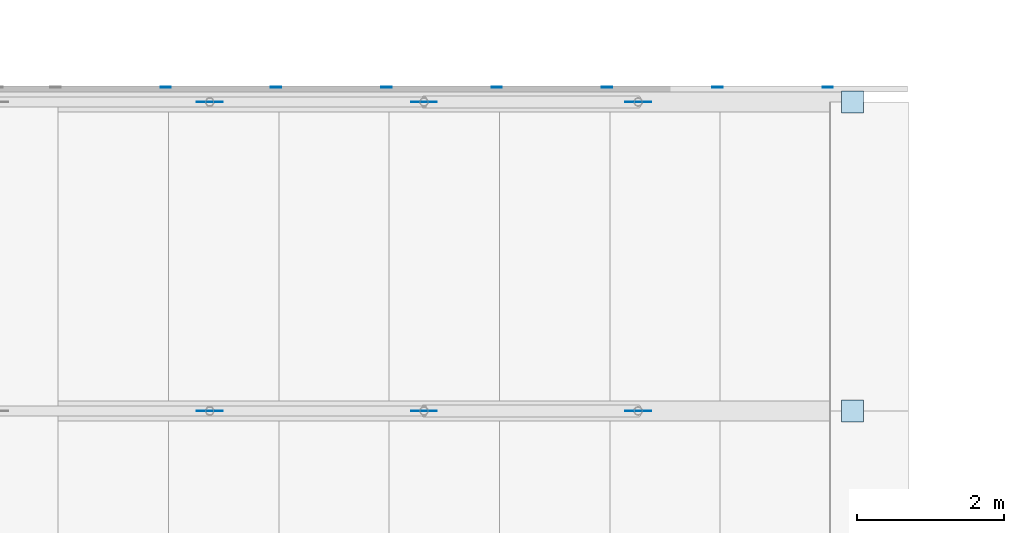
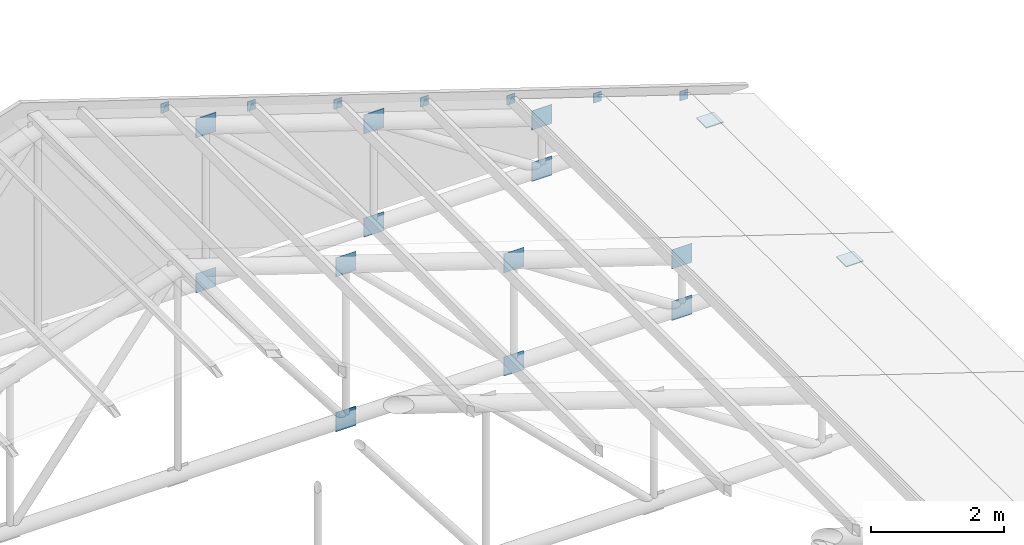
# One storey, part 79 of 95: 21 plates.
"""IFC4 building model written with IfcOpenShell, lengths in metres."""

from ifc_helpers import new_model, si_unit, direction, frame, origin, origin_2d, place, context, subcontext, project, spatial, rectangle, extrude, material, layer, layer_set, type_object, element, save


model = new_model("IFC4")

# Units and contexts
model_context = context("Model", 3, precision=1e-05, world=origin(), true_north=direction((0.0, 1.0)))
body_context = subcontext(model_context, "Body", "Model", "MODEL_VIEW")
ifc_project = project(units=[si_unit("LENGTHUNIT", "METRE"), si_unit("AREAUNIT", "SQUARE_METRE"), si_unit("VOLUMEUNIT", "CUBIC_METRE"), si_unit("PLANEANGLEUNIT", "RADIAN"), si_unit("MASSUNIT", "GRAM", prefix="KILO")], contexts=[model_context])

# Site, building, storey
site_placement = place(None, origin())
site = spatial("IfcSite", under=ifc_project, at=site_placement, CompositionType="ELEMENT")
building_placement = place(site_placement, origin())
building = spatial("IfcBuilding", under=site, at=building_placement, Name="Kiln Court Media Centre", CompositionType="ELEMENT")
storey_placement = place(building_placement, frame((0.0, 0.0, 24.60009765625)))
storey = spatial("IfcBuildingStorey", under=building, at=storey_placement, Name="L05", CompositionType="ELEMENT", Elevation=24.60009765625)

# Plates
ifc_material_1 = material(Name="Steel ASTM A572 Gr 50", Category="steel")
ifc_layer_1 = layer(ifc_material_1, 0.011962890625)
ifc_layer_set_1 = layer_set([ifc_layer_1], Name="Steel ASTM A572 Gr 50 141x12x174 connection plate")
plate_type_1 = type_object("IfcPlateType", Name="Steel ASTM A572 Gr 50 141x12x174 connection plate", PredefinedType="USERDEFINED", material=ifc_layer_set_1)
for number, where, z_axis, x_axis, name in (
    (1, (57.714599609375, 67.3984375, 0.228515625), (0.0, 0.0, 1.0), (1.0, 0.0, 0.0), "foyer roof east purlin 1 north end connection plate"),
    (2, (56.214599609375, 67.3984375, 0.7158203125), (0.0, 0.0, 1.0), (1.0, 0.0, 0.0), "foyer roof east purlin 2 north end connection plate"),
    (3, (54.714599609375, 67.3984375, 1.203125), (0.0, 0.0, 1.0), (1.0, 0.0, 0.0), "foyer roof east purlin 3 north end connection plate"),
    (4, (53.214599609375, 67.3984375, 1.6904296875), (0.0, 0.0, 1.0), (1.0, 0.0, 0.0), "foyer roof east purlin 4 north end connection plate"),
    (5, (51.714599609375, 67.3984375, 2.177734375), (0.0, 0.0, 1.0), (1.0, 0.0, 0.0), "foyer roof east purlin 5 north end connection plate"),
    (6, (50.214599609375, 67.3984375, 2.6650390625), (0.0, 0.0, 1.0), (1.0, 0.0, 0.0), "foyer roof east purlin 6 north end connection plate"),
    (7, (48.714599609375, 67.3984375, 3.15234375), (0.0, 0.0, 1.0), (1.0, 0.0, 0.0), "foyer roof east purlin 7 north end connection plate"),
):
    element("IfcPlate", number, at=place(storey_placement, frame(where, z_axis=z_axis, x_axis=x_axis)), inside=storey, type_object=plate_type_1, Name=name, ObjectType="CONNECTION PLATE", PredefinedType="USERDEFINED", context=body_context, shape_type="SweptSolid", body=[
        extrude(rectangle(XDim=0.14111328125, YDim=0.011962890625, at=origin_2d()), origin(), (0.0, 0.0, 1.0), 0.174072265625),
    ])
ifc_material_2 = material(Name="Steel ASTM A572 Gr 50", Category="steel")
ifc_layer_2 = layer(ifc_material_2, 0.01611328125)
ifc_layer_set_2 = layer_set([ifc_layer_2], Name="Steel ASTM A572 Gr 50 300x300x16 connection plate")
plate_type_2 = type_object("IfcPlateType", Name="Steel ASTM A572 Gr 50 300x300x16 connection plate", PredefinedType="USERDEFINED", material=ifc_layer_set_2)
for number, where, z_axis, x_axis, name in (
    (8, (58.050048828125, 63.0, -0.152099609375), (0.0, 0.0, 1.0), (1.0, 0.0, 0.0), "foyer truss FT-10 east bearing connection plate"),
    (9, (58.050048828125, 67.199951171875, -0.152099609375), (0.0, 0.0, 1.0), (1.0, 0.0, 0.0), "foyer truss FT-11 east bearing connection plate"),
):
    element("IfcPlate", number, at=place(storey_placement, frame(where, z_axis=z_axis, x_axis=x_axis)), inside=storey, type_object=plate_type_2, Name=name, ObjectType="CONNECTION PLATE", PredefinedType="USERDEFINED", context=body_context, shape_type="SweptSolid", body=[
        extrude(rectangle(XDim=0.300048828125, YDim=0.300048828125, at=origin_2d()), origin(), (0.0, 0.0, 1.0), 0.01611328125),
    ])
ifc_material_3 = material(Name="Steel ASTM A572 Gr 50", Category="steel")
ifc_layer_3 = layer(ifc_material_3, 0.010009765625)
ifc_layer_set_3 = layer_set([ifc_layer_3], Name="Steel ASTM A572 Gr 50 350x350x10 connection plate FT")
plate_type_3 = type_object("IfcPlateType", Name="Steel ASTM A572 Gr 50 350x350x10 connection plate FT", PredefinedType="USERDEFINED", material=ifc_layer_set_3)
for number, where, z_axis, x_axis, name in (
    (10, (49.3125, 63.0, -0.18896484375), (0.0, 0.0, 1.0), (1.0, 0.0, 0.0), "FT node connection plate"),
    (11, (49.3125, 63.0, 2.650146484375), (0.0, 0.0, 1.0), (1.0, 0.0, 0.0), "FT node connection plate"),
    (12, (49.3125, 67.199951171875, -0.18896484375), (0.0, 0.0, 1.0), (1.0, 0.0, 0.0), "FT node connection plate"),
    (13, (49.3125, 67.199951171875, 2.650146484375), (0.0, 0.0, 1.0), (1.0, 0.0, 0.0), "FT node connection plate"),
    (14, (52.22509765625, 63.0, -0.18896484375), (0.0, 0.0, 1.0), (1.0, 0.0, 0.0), "FT node connection plate"),
    (15, (52.22509765625, 63.0, 1.703857421875), (0.0, 0.0, 1.0), (1.0, 0.0, 0.0), "FT node connection plate"),
    (16, (52.22509765625, 67.199951171875, -0.18896484375), (0.0, 0.0, 1.0), (1.0, 0.0, 0.0), "FT node connection plate"),
    (17, (52.22509765625, 67.199951171875, 1.703857421875), (0.0, 0.0, 1.0), (1.0, 0.0, 0.0), "FT node connection plate"),
    (18, (55.137451171875, 63.0, -0.18896484375), (0.0, 0.0, 1.0), (1.0, 0.0, 0.0), "FT node connection plate"),
    (19, (55.137451171875, 63.0, 0.757568359375), (0.0, 0.0, 1.0), (1.0, 0.0, 0.0), "FT node connection plate"),
    (20, (55.137451171875, 67.199951171875, -0.18896484375), (0.0, 0.0, 1.0), (1.0, 0.0, 0.0), "FT node connection plate"),
    (21, (55.137451171875, 67.199951171875, 0.757568359375), (0.0, 0.0, 1.0), (1.0, 0.0, 0.0), "FT node connection plate"),
):
    element("IfcPlate", number, at=place(storey_placement, frame(where, z_axis=z_axis, x_axis=x_axis)), inside=storey, type_object=plate_type_3, Name=name, ObjectType="CONNECTION PLATE", PredefinedType="USERDEFINED", context=body_context, shape_type="SweptSolid", body=[
        extrude(rectangle(XDim=0.35009765625, YDim=0.010009765625, at=origin_2d()), origin(), (0.0, 0.0, 1.0), 0.35009765625),
    ])

save(model, "model.ifc")
